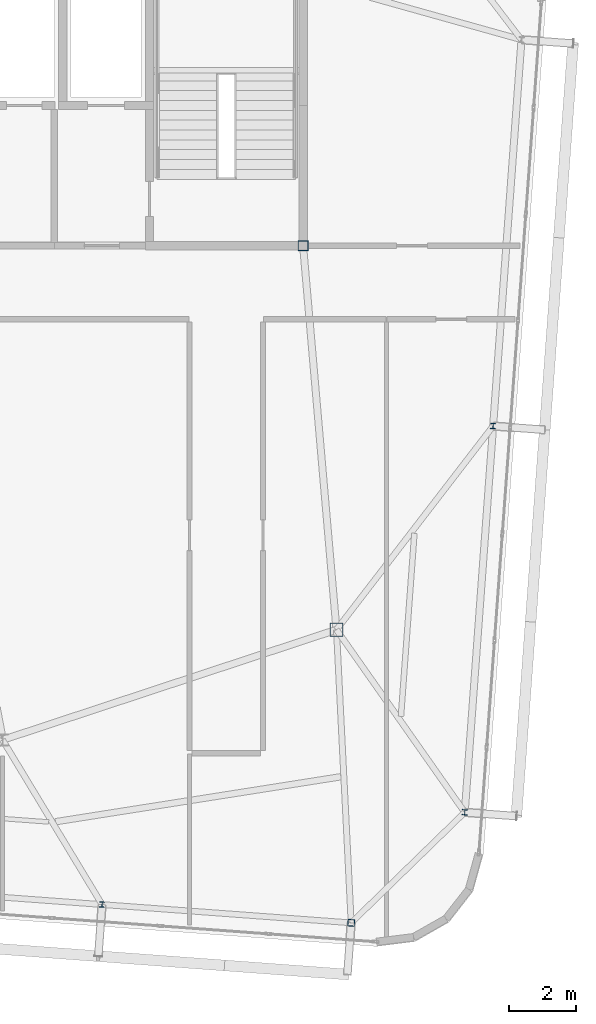
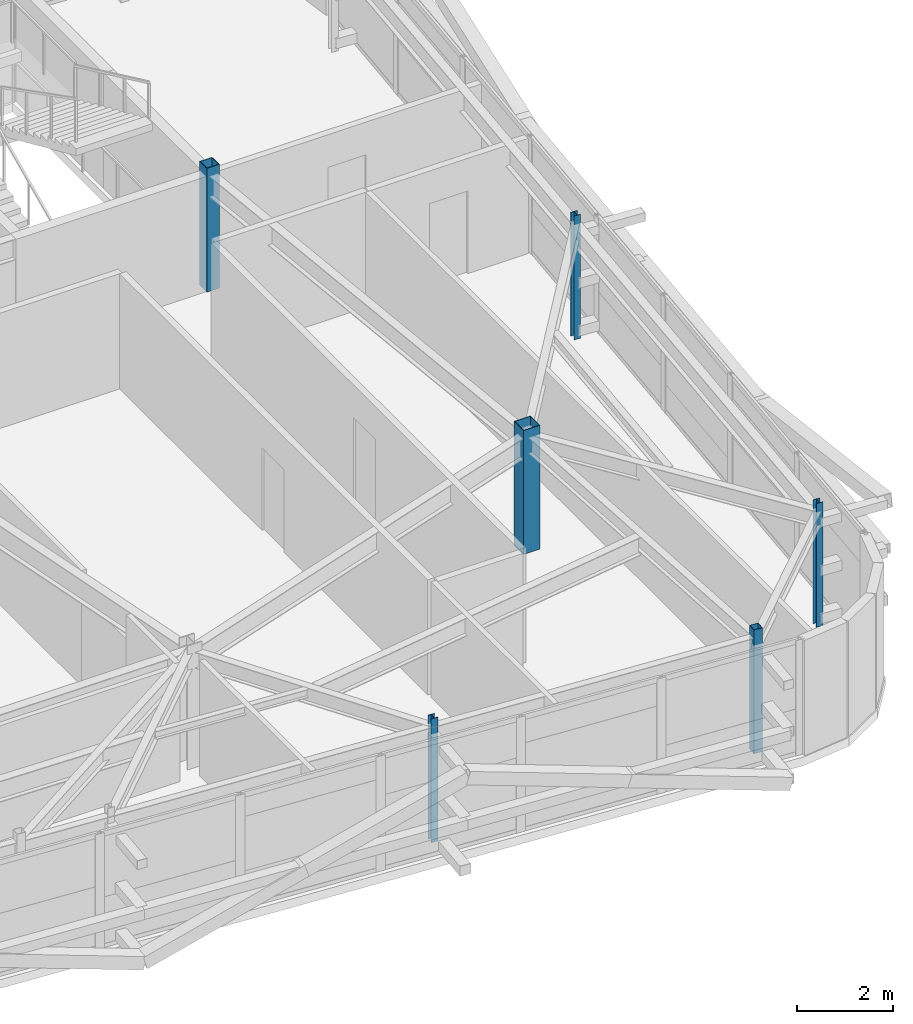
# One storey, part 5 of 42: 6 columns.
"""IFC4 building model written with IfcOpenShell, lengths in metres."""

from ifc_helpers import new_model, si_unit, direction, frame, origin, origin_2d, place, context, subcontext, project, spatial, hollow_rectangle, i_section, extrude, source, transform, mapped, material, material_profile, profile_set, type_object, element, save


model = new_model("IFC4")

# Units and contexts
model_context = context("Model", 3, precision=1e-05, world=origin(), true_north=direction((0.0, 1.0)))
body_context = subcontext(model_context, "Body", "Model", "MODEL_VIEW")
ifc_project = project(units=[si_unit("LENGTHUNIT", "METRE"), si_unit("AREAUNIT", "SQUARE_METRE"), si_unit("VOLUMEUNIT", "CUBIC_METRE"), si_unit("PLANEANGLEUNIT", "RADIAN"), si_unit("MASSUNIT", "GRAM", prefix="KILO")], contexts=[model_context])

# Site, building, storey
site_placement = place(None, origin())
site = spatial("IfcSite", under=ifc_project, at=site_placement, CompositionType="ELEMENT")
building_placement = place(site_placement, origin())
building = spatial("IfcBuilding", under=site, at=building_placement, Name="Taldren Reach Tower", CompositionType="ELEMENT")
storey_placement = place(building_placement, frame((0.0, 0.0, 214.550048828125)))
storey = spatial("IfcBuildingStorey", under=building, at=storey_placement, Name="L65", CompositionType="ELEMENT", Elevation=214.550048828125)

# Columns
ifc_material_1 = material(Name="Steel Gr 450 (C450L0)", Category="steel")
ifc_material_profile_1 = material_profile(ifc_material_1, hollow_rectangle(XDim=0.39990234375, YDim=0.39990234375, WallThickness=0.01611328125, at=origin_2d()), Name="400x400x16.0SHS")
ifc_profile_set_1 = profile_set([ifc_material_profile_1], Name="Steel Gr 450 (C450L0)")
column_type_1 = type_object("IfcColumnType", Name="COL-SHS400", PredefinedType="COLUMN", material=ifc_profile_set_1)
shared_shape_1 = source(origin(), body_context, "Body", "SweptSolid", [
    extrude(hollow_rectangle(XDim=0.39990234375, YDim=0.39990234375, WallThickness=0.01611328125, at=origin_2d()), origin(), (0.0, 0.0, 1.0), 3.14990234375),
])
column_1_placement = place(storey_placement, frame((52.0, 12.5, 0.0), z_axis=(0.0, 0.0, 1.0), x_axis=(1.0, 0.0, 0.0)))
element("IfcColumn", 1, at=column_1_placement, inside=storey, type_object=column_type_1, Name="Mega column MC-SE L65", PredefinedType="COLUMN", context=body_context, shape_type="MappedRepresentation", body=[
    mapped(shared_shape_1, transform((0.0, 0.0, 0.0), scale=1.0)),
])
ifc_material_profile_2 = material_profile(ifc_material_1, hollow_rectangle(XDim=0.300048828125, YDim=0.300048828125, WallThickness=0.012451171875, at=origin_2d()), Name="300x300x12.5SHS")
ifc_profile_set_2 = profile_set([ifc_material_profile_2], Name="Steel Gr 450 (C450L0)")
column_type_2 = type_object("IfcColumnType", Name="COL-SHS300", PredefinedType="COLUMN", material=ifc_profile_set_2)
shared_shape_2 = source(origin(), body_context, "Body", "SweptSolid", [
    extrude(hollow_rectangle(XDim=0.300048828125, YDim=0.300048828125, WallThickness=0.012451171875, at=origin_2d()), origin(), (0.0, 0.0, 1.0), 3.14990234375),
])
column_2_placement = place(storey_placement, frame((51.0, 24.0, 0.0), z_axis=(0.0, 0.0, 1.0), x_axis=(1.0, 0.0, 0.0)))
element("IfcColumn", 2, at=column_2_placement, inside=storey, type_object=column_type_2, Name="Mega column MC-C4 L65", PredefinedType="COLUMN", context=body_context, shape_type="MappedRepresentation", body=[
    mapped(shared_shape_2, transform((0.0, 0.0, 0.0), scale=1.0)),
])
ifc_material_2 = material(Name="Steel Gr 350 (C350L0)", Category="steel")
ifc_material_profile_3 = material_profile(ifc_material_2, hollow_rectangle(XDim=0.199951171875, YDim=0.199951171875, WallThickness=0.009033203125, at=origin_2d()), Name="200x200x9.0SHS")
ifc_profile_set_3 = profile_set([ifc_material_profile_3], Name="Steel Gr 350 (C350L0)")
column_type_3 = type_object("IfcColumnType", Name="COL-SHS200", PredefinedType="COLUMN", material=ifc_profile_set_3)
shared_shape_3 = source(origin(), body_context, "Body", "SweptSolid", [
    extrude(hollow_rectangle(XDim=0.199951171875, YDim=0.199951171875, WallThickness=0.009033203125, at=origin_2d()), origin(), (0.0, 0.0, 1.0), 3.14990234375),
])
column_3_placement = place(storey_placement, frame((52.440185546875, 3.72119140625, 0.0), z_axis=(0.0, 0.0, 1.0), x_axis=(0.997314477224, -0.073238197128, 0.0)))
element("IfcColumn", 3, at=column_3_placement, inside=storey, type_object=column_type_3, Name="Block B5 perimeter column S6 L65", PredefinedType="COLUMN", context=body_context, shape_type="MappedRepresentation", body=[
    mapped(shared_shape_3, transform((0.0, 0.0, 0.0), scale=1.0)),
])
ifc_material_3 = material(Name="Steel Gr 350 (350PLUS)", Category="steel")
ifc_material_profile_4 = material_profile(ifc_material_3, i_section(OverallWidth=0.154052734375, OverallDepth=0.162109375, WebThickness=0.008056640625, FlangeThickness=0.011474609375, at=origin_2d()), Name="150UC37.2")
ifc_profile_set_4 = profile_set([ifc_material_profile_4], Name="Steel Gr 350 (350PLUS)")
column_type_4 = type_object("IfcColumnType", Name="COL-UC150", PredefinedType="COLUMN", material=ifc_profile_set_4)
shared_shape_4 = source(origin(), body_context, "Body", "SweptSolid", [
    extrude(i_section(OverallWidth=0.154052734375, OverallDepth=0.162109375, WebThickness=0.008056640625, FlangeThickness=0.011474609375, at=origin_2d()), origin(), (0.0, 0.0, 1.0), 3.14990234375),
])
for number, where, z_axis, x_axis, name in (
    (4, (44.980224609375, 4.26904296875, 0.0), (0.0, 0.0, 1.0), (0.997314477224, -0.073238197128, 0.0), "Block B5 perimeter column S5 L65"),
    (5, (55.841796875, 7.031005859375, 0.0), (0.0, 0.0, 1.0), (0.997314477224, -0.073238197128, 0.0), "Block B5 perimeter column E1 L65"),
    (6, (56.69140625, 18.599853515625, 0.0), (0.0, 0.0, 1.0), (0.997314477224, -0.073238197128, 0.0), "Block B5 perimeter column E2 L65"),
):
    element("IfcColumn", number, at=place(storey_placement, frame(where, z_axis=z_axis, x_axis=x_axis)), inside=storey, type_object=column_type_4, Name=name, PredefinedType="COLUMN", context=body_context, shape_type="MappedRepresentation", body=[
        mapped(shared_shape_4, transform((0.0, 0.0, 0.0), scale=1.0)),
    ])

save(model, "model.ifc")
